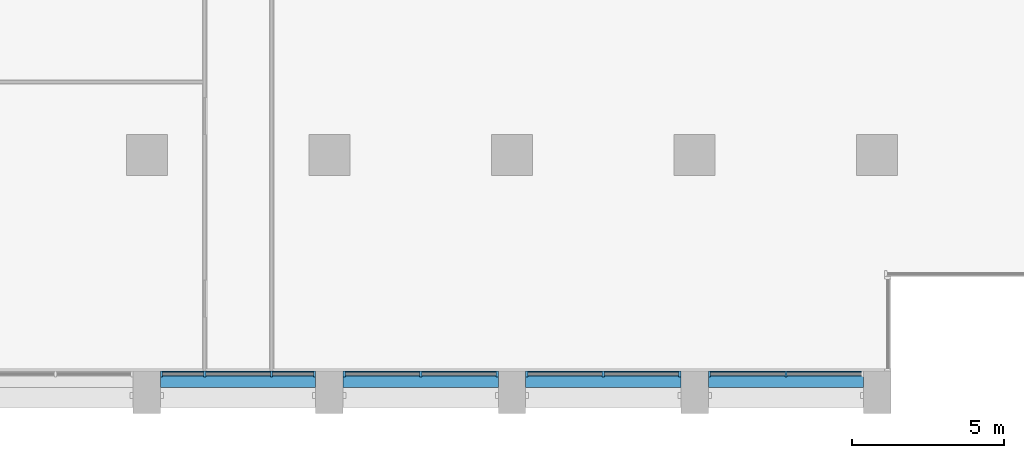
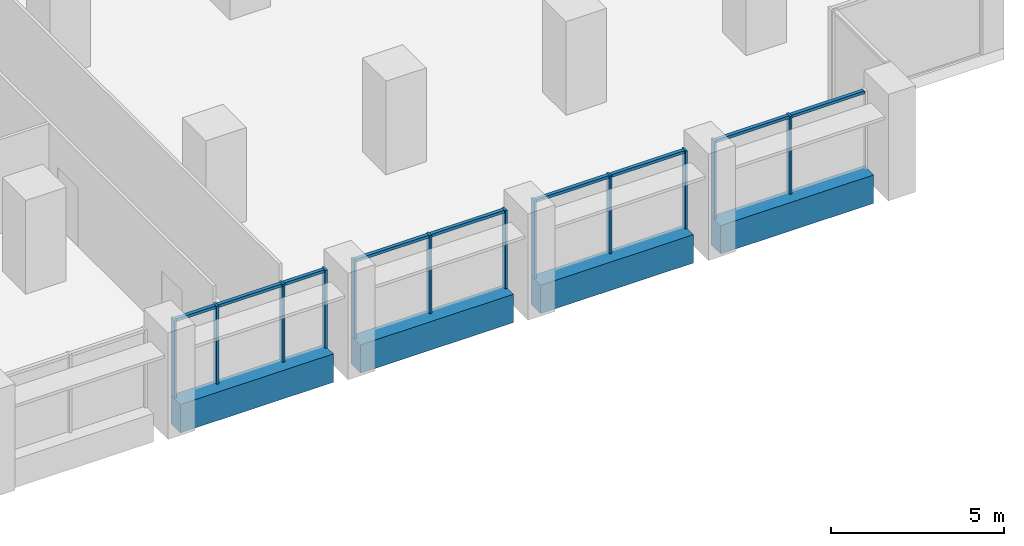
# One storey, part 3 of 15: 21 members, 4 beams, 4 elements without a shape of their own.
"""IFC4 building model written with IfcOpenShell, lengths in metres."""

import ifcopenshell
import ifcopenshell.guid

model = None  # the IFC model being written
_history = None  # IfcOwnerHistory: only IFC2X3 demands one
_inside = {}  # id of a spatial element -> (the spatial element, [elements in it])
_under = {}  # id of a project, library or spatial element -> (it, [spatial elements below it])
_declared = {}  # id of a project -> (the project, [libraries it declares])
_typed = {}  # id of a type object -> (the type object, [elements of that type])
_made_of = {}  # id of a material, layer set ... -> (it, [elements and type objects made of it])


def new_model(schema):
    """Start an empty IFC model of exactly this schema.

    Asked for "IFC4X3", IfcOpenShell would pick the latest addendum, in which some entities
    have other attributes; the version numbers below select the first issue.
    IFC2X3 requires an IfcOwnerHistory on every rooted entity: one is made here for all.
    """
    global model, _history
    if schema == "IFC4X3":
        model = ifcopenshell.file(schema_version=(4, 3, 0, 0))
    else:
        model = ifcopenshell.file(schema=schema)
    _inside.clear()
    _under.clear()
    _declared.clear()
    _typed.clear()
    _made_of.clear()
    _history = None
    if model.schema == "IFC2X3":
        org = make("IfcOrganization", Name="unknown")
        user = make(
            "IfcPersonAndOrganization",
            ThePerson=make("IfcPerson", FamilyName="unknown"),
            TheOrganization=org,
        )
        app = make(
            "IfcApplication",
            ApplicationDeveloper=org,
            Version="unknown",
            ApplicationFullName="unknown",
            ApplicationIdentifier="unknown",
        )
        _history = make(
            "IfcOwnerHistory",
            OwningUser=user,
            OwningApplication=app,
            ChangeAction="ADDED",
            CreationDate=0,
        )
    return model


def make(cls, **values):
    """One entity of the class cls with the attributes given. An attribute that is None is left unset."""
    return model.create_entity(
        cls, **{name: value for name, value in values.items() if value is not None}
    )


def rooted(cls, **values):
    """An entity with a GlobalId (a new one), such as an element, a storey or a relation."""
    return make(cls, GlobalId=ifcopenshell.guid.new(), OwnerHistory=_history, **values)


def si_unit(unit_type, name, prefix=None):
    """IfcSIUnit, for example si_unit("LENGTHUNIT", "METRE", prefix="MILLI")."""
    return make("IfcSIUnit", UnitType=unit_type, Prefix=prefix, Name=name)


def assignment(units):
    """IfcUnitAssignment: the units of a project."""
    return None if units is None else make("IfcUnitAssignment", Units=units)


def point(xyz):
    """IfcCartesianPoint."""
    return None if xyz is None else make("IfcCartesianPoint", Coordinates=xyz)


def direction(xyz):
    """IfcDirection."""
    return None if xyz is None else make("IfcDirection", DirectionRatios=xyz)


def frame(location, z_axis=None, x_axis=None):
    """IfcAxis2Placement3D, a coordinate frame: its origin and axes. An axis left out is left unset."""
    return make(
        "IfcAxis2Placement3D",
        Location=point(location),
        Axis=direction(z_axis),
        RefDirection=direction(x_axis),
    )


def frame_2d(location, x_axis=None):
    """IfcAxis2Placement2D, a coordinate frame in the plane: its origin and x axis."""
    return make(
        "IfcAxis2Placement2D", Location=point(location), RefDirection=direction(x_axis)
    )


def origin():
    """The frame at (0, 0, 0) with its axes left unset."""
    return frame((0.0, 0.0, 0.0))


def origin_2d():
    """The frame at (0, 0) in the plane with its x axis left unset."""
    return frame_2d((0.0, 0.0))


def place(relative_to, where):
    """IfcLocalPlacement: puts the frame where relative to a parent placement (None: the world)."""
    return make(
        "IfcLocalPlacement", PlacementRelTo=relative_to, RelativePlacement=where
    )


def context(
    kind, dimensions, precision=None, world=None, true_north=None, identifier=None
):
    """IfcGeometricRepresentationContext, for example the 3D "Model" context."""
    return make(
        "IfcGeometricRepresentationContext",
        ContextIdentifier=identifier,
        ContextType=kind,
        CoordinateSpaceDimension=dimensions,
        Precision=precision,
        WorldCoordinateSystem=world,
        TrueNorth=true_north,
    )


def subcontext(parent, identifier, kind, view, scale=None):
    """IfcGeometricRepresentationSubContext, for example "Body" below "Model"."""
    return make(
        "IfcGeometricRepresentationSubContext",
        ContextIdentifier=identifier,
        ContextType=kind,
        ParentContext=parent,
        TargetScale=scale,
        TargetView=view,
    )


def project(units=None, contexts=None):
    """IfcProject with its units and contexts."""
    return rooted(
        "IfcProject",
        Name="project",
        RepresentationContexts=contexts,
        UnitsInContext=assignment(units),
    )


def spatial(cls, under=None, at=None, **own):
    """A site, building, storey or space (cls), placed at a placement, below another one or the project."""
    s = rooted(cls, ObjectPlacement=at, **own)
    if under is not None:
        _under.setdefault(under.id(), (under, []))[1].append(s)
    return s


def profile(cls, at=None, kind="AREA", **sizes):
    """A parametric profile (cls). Its sizes go by their IFC names, for example OverallWidth=200.0."""
    return make(cls, ProfileType=kind, Position=at, **sizes)


def rectangle(**sizes):
    """IfcRectangleProfileDef."""
    return profile("IfcRectangleProfileDef", **sizes)


def extrude(swept, where, along, depth):
    """IfcExtrudedAreaSolid: the profile swept, set in the frame where, extruded along a direction by depth."""
    return make(
        "IfcExtrudedAreaSolid",
        SweptArea=swept,
        Position=where,
        ExtrudedDirection=direction(along),
        Depth=depth,
    )


def shape(context_of_items, identifier, shape_type, items):
    """IfcShapeRepresentation: the items that make up one representation, for example the "Body"."""
    return make(
        "IfcShapeRepresentation",
        ContextOfItems=context_of_items,
        RepresentationIdentifier=identifier,
        RepresentationType=shape_type,
        Items=items,
    )


def material(Name=None, Category=None):
    """IfcMaterial."""
    return make("IfcMaterial", Name=Name, Category=Category)


def material_profile(
    of_material, cross_section, Name=None, Category=None, Priority=None
):
    """IfcMaterialProfile: a cross section and its material."""
    return make(
        "IfcMaterialProfile",
        Name=Name,
        Material=of_material,
        Profile=cross_section,
        Priority=Priority,
        Category=Category,
    )


def profile_set(profiles, Name=None, composite=None):
    """IfcMaterialProfileSet."""
    return make(
        "IfcMaterialProfileSet",
        Name=Name,
        MaterialProfiles=profiles,
        CompositeProfile=composite,
    )


def made_of(thing, what):
    """Note that an element or type object is made of a material, layer set ...; save() writes the relation."""
    if what is not None:
        _made_of.setdefault(what.id(), (what, []))[1].append(thing)
    return thing


def type_object(cls, material=None, **own):
    """A type object (cls), such as IfcWallType, which elements share."""
    return made_of(rooted(cls, **own), material)


def element(
    cls,
    number,
    at=None,
    inside=None,
    cuts=None,
    type_object=None,
    material=None,
    context=None,
    identifier="Body",
    shape_type=None,
    held_by="IfcProductDefinitionShape",
    body=None,
    shapes=None,
    **own,
):
    """One element of the class cls, such as IfcWall. Its Tag is "e" and its number.

    at: its placement. inside: the storey or other place that contains it. cuts: it is an
    opening in that element (IfcRelVoidsElement). A single representation is given by context,
    identifier, shape_type and body (its items); several are given by shapes. held_by: the class
    of the entity that holds the representations. save() writes the other relations.
    """
    e = rooted(cls, Tag="e%d" % number, ObjectPlacement=at, **own)
    if body is not None:
        shapes = [shape(context, identifier, shape_type, body)]
    if shapes is not None:
        e.Representation = make(held_by, Representations=shapes)
    if inside is not None:
        _inside.setdefault(inside.id(), (inside, []))[1].append(e)
    if cuts is not None:
        rooted(
            "IfcRelVoidsElement", RelatingBuildingElement=cuts, RelatedOpeningElement=e
        )
    if type_object is not None:
        _typed.setdefault(type_object.id(), (type_object, []))[1].append(e)
    return made_of(e, material)


def aggregate(whole, parts):
    """IfcRelAggregates: a whole, such as a stair, and the parts it consists of."""
    return rooted("IfcRelAggregates", RelatingObject=whole, RelatedObjects=parts)


def save(model, path):
    """Write the relations noted so far, then the file.

    IfcRelAggregates (storeys below a building ...), IfcRelContainedInSpatialStructure (elements
    in a storey), IfcRelDefinesByType, IfcRelAssociatesMaterial and IfcRelDeclares: one each for
    every whole, place, type object, material and project.
    """
    for whole, parts in _under.values():
        aggregate(whole, parts)
    for where, things in _inside.values():
        rooted(
            "IfcRelContainedInSpatialStructure",
            RelatedElements=things,
            RelatingStructure=where,
        )
    for kind, things in _typed.values():
        rooted("IfcRelDefinesByType", RelatedObjects=things, RelatingType=kind)
    for what, things in _made_of.values():
        rooted("IfcRelAssociatesMaterial", RelatedObjects=things, RelatingMaterial=what)
    for by, libraries in _declared.values():
        rooted("IfcRelDeclares", RelatingContext=by, RelatedDefinitions=libraries)
    model.write(path)


model = new_model("IFC4")

# Units and contexts
model_context = context("Model", 3, precision=1e-05, world=origin(), true_north=direction((0.0, 1.0)))
body_context = subcontext(model_context, "Body", "Model", "MODEL_VIEW")
ifc_project = project(units=[si_unit("LENGTHUNIT", "METRE"), si_unit("AREAUNIT", "SQUARE_METRE"), si_unit("VOLUMEUNIT", "CUBIC_METRE"), si_unit("PLANEANGLEUNIT", "RADIAN"), si_unit("MASSUNIT", "GRAM", prefix="KILO")], contexts=[model_context])

# Site, building, storey
site_placement = place(None, origin())
site = spatial("IfcSite", under=ifc_project, at=site_placement, CompositionType="ELEMENT")
building_placement = place(site_placement, origin())
building = spatial("IfcBuilding", under=site, at=building_placement, Name="Calvaro Tower", CompositionType="ELEMENT")
storey_placement = place(building_placement, frame((0.0, 0.0, 121.25)))
storey = spatial("IfcBuildingStorey", under=building, at=storey_placement, Name="L30", CompositionType="ELEMENT", Elevation=121.25)

# Curtain wall, members
ifc_material_1 = material(Name="Anodised aluminium", Category="aluminium")
curtain_wall_type = type_object("IfcCurtainWallType", Name="Office curtain wall, middle zone", PredefinedType="NOTDEFINED", material=ifc_material_1)
curtain_wall_1_placement = place(storey_placement, origin())
curtain_wall_1 = element("IfcCurtainWall", 1, at=curtain_wall_1_placement, inside=storey, type_object=curtain_wall_type, Name="CW2 south curtain wall", PredefinedType="NOTDEFINED")
ifc_material_2 = material(Name="Anodised aluminium", Category="aluminium")
ifc_material_profile_1 = material_profile(ifc_material_2, rectangle(XDim=0.199951171875, YDim=0.070068359375, at=origin_2d()), Name="Mullion S2 70 x 200")
ifc_profile_set_1 = profile_set([ifc_material_profile_1], Name="Anodised aluminium")
member_type_1 = type_object("IfcMemberType", Name="Mullion S2 70 x 200", PredefinedType="MULLION", material=ifc_profile_set_1)
member_1_placement = place(storey_placement, frame((42.485107421875, 2.800048828125, 0.0), z_axis=(0.0, 0.0, 1.0), x_axis=(0.0, 1.0, 0.0)))
member_1 = element("IfcMember", 2, at=member_1_placement, type_object=member_type_1, Name="CW2 mullion 1", PredefinedType="MULLION", context=body_context, shape_type="SweptSolid", body=[
    extrude(rectangle(XDim=0.199951171875, YDim=0.070068359375, at=origin_2d()), origin(), (0.0, 0.0, 1.0), 2.75),
])
member_2_placement = place(storey_placement, frame((43.89990234375, 2.800048828125, 0.0), z_axis=(0.0, 0.0, 1.0), x_axis=(0.0, 1.0, 0.0)))
member_2 = element("IfcMember", 3, at=member_2_placement, type_object=member_type_1, Name="CW2 mullion 2", PredefinedType="MULLION", context=body_context, shape_type="SweptSolid", body=[
    extrude(rectangle(XDim=0.199951171875, YDim=0.070068359375, at=origin_2d()), origin(), (0.0, 0.0, 1.0), 2.75),
])
member_3_placement = place(storey_placement, frame((46.10009765625, 2.800048828125, 0.0), z_axis=(0.0, 0.0, 1.0), x_axis=(0.0, 1.0, 0.0)))
member_3 = element("IfcMember", 4, at=member_3_placement, type_object=member_type_1, Name="CW2 mullion 3", PredefinedType="MULLION", context=body_context, shape_type="SweptSolid", body=[
    extrude(rectangle(XDim=0.199951171875, YDim=0.070068359375, at=origin_2d()), origin(), (0.0, 0.0, 1.0), 2.75),
])
member_4_placement = place(storey_placement, frame((47.514892578125, 2.800048828125, 0.0), z_axis=(0.0, 0.0, 1.0), x_axis=(0.0, 1.0, 0.0)))
member_4 = element("IfcMember", 5, at=member_4_placement, type_object=member_type_1, Name="CW2 mullion 4", PredefinedType="MULLION", context=body_context, shape_type="SweptSolid", body=[
    extrude(rectangle(XDim=0.199951171875, YDim=0.070068359375, at=origin_2d()), origin(), (0.0, 0.0, 1.0), 2.75),
])

curtain_wall_2_placement = place(storey_placement, origin())
curtain_wall_2 = element("IfcCurtainWall", 6, at=curtain_wall_2_placement, inside=storey, type_object=curtain_wall_type, Name="CW2 south curtain wall", PredefinedType="NOTDEFINED")
member_5_placement = place(storey_placement, frame((48.485107421875, 2.800048828125, 0.0), z_axis=(0.0, 0.0, 1.0), x_axis=(0.0, 1.0, 0.0)))
member_5 = element("IfcMember", 7, at=member_5_placement, type_object=member_type_1, Name="CW2 mullion 1", PredefinedType="MULLION", context=body_context, shape_type="SweptSolid", body=[
    extrude(rectangle(XDim=0.199951171875, YDim=0.070068359375, at=origin_2d()), origin(), (0.0, 0.0, 1.0), 2.75),
])
member_6_placement = place(storey_placement, frame((51.0, 2.800048828125, 0.0), z_axis=(0.0, 0.0, 1.0), x_axis=(0.0, 1.0, 0.0)))
member_6 = element("IfcMember", 8, at=member_6_placement, type_object=member_type_1, Name="CW2 mullion 2", PredefinedType="MULLION", context=body_context, shape_type="SweptSolid", body=[
    extrude(rectangle(XDim=0.199951171875, YDim=0.070068359375, at=origin_2d()), origin(), (0.0, 0.0, 1.0), 2.75),
])
member_7_placement = place(storey_placement, frame((53.514892578125, 2.800048828125, 0.0), z_axis=(0.0, 0.0, 1.0), x_axis=(0.0, 1.0, 0.0)))
member_7 = element("IfcMember", 9, at=member_7_placement, type_object=member_type_1, Name="CW2 mullion 3", PredefinedType="MULLION", context=body_context, shape_type="SweptSolid", body=[
    extrude(rectangle(XDim=0.199951171875, YDim=0.070068359375, at=origin_2d()), origin(), (0.0, 0.0, 1.0), 2.75),
])

curtain_wall_3_placement = place(storey_placement, origin())
curtain_wall_3 = element("IfcCurtainWall", 10, at=curtain_wall_3_placement, inside=storey, type_object=curtain_wall_type, Name="CW2 south curtain wall", PredefinedType="NOTDEFINED")
member_8_placement = place(storey_placement, frame((54.485107421875, 2.800048828125, 0.0), z_axis=(0.0, 0.0, 1.0), x_axis=(0.0, 1.0, 0.0)))
member_8 = element("IfcMember", 11, at=member_8_placement, type_object=member_type_1, Name="CW2 mullion 1", PredefinedType="MULLION", context=body_context, shape_type="SweptSolid", body=[
    extrude(rectangle(XDim=0.199951171875, YDim=0.070068359375, at=origin_2d()), origin(), (0.0, 0.0, 1.0), 2.75),
])
member_9_placement = place(storey_placement, frame((57.0, 2.800048828125, 0.0), z_axis=(0.0, 0.0, 1.0), x_axis=(0.0, 1.0, 0.0)))
member_9 = element("IfcMember", 12, at=member_9_placement, type_object=member_type_1, Name="CW2 mullion 2", PredefinedType="MULLION", context=body_context, shape_type="SweptSolid", body=[
    extrude(rectangle(XDim=0.199951171875, YDim=0.070068359375, at=origin_2d()), origin(), (0.0, 0.0, 1.0), 2.75),
])
member_10_placement = place(storey_placement, frame((59.514892578125, 2.800048828125, 0.0), z_axis=(0.0, 0.0, 1.0), x_axis=(0.0, 1.0, 0.0)))
member_10 = element("IfcMember", 13, at=member_10_placement, type_object=member_type_1, Name="CW2 mullion 3", PredefinedType="MULLION", context=body_context, shape_type="SweptSolid", body=[
    extrude(rectangle(XDim=0.199951171875, YDim=0.070068359375, at=origin_2d()), origin(), (0.0, 0.0, 1.0), 2.75),
])

curtain_wall_4_placement = place(storey_placement, origin())
curtain_wall_4 = element("IfcCurtainWall", 14, at=curtain_wall_4_placement, inside=storey, type_object=curtain_wall_type, Name="CW2 south curtain wall", PredefinedType="NOTDEFINED")
member_11_placement = place(storey_placement, frame((60.485107421875, 2.800048828125, 0.0), z_axis=(0.0, 0.0, 1.0), x_axis=(0.0, 1.0, 0.0)))
member_11 = element("IfcMember", 15, at=member_11_placement, type_object=member_type_1, Name="CW2 mullion 1", PredefinedType="MULLION", context=body_context, shape_type="SweptSolid", body=[
    extrude(rectangle(XDim=0.199951171875, YDim=0.070068359375, at=origin_2d()), origin(), (0.0, 0.0, 1.0), 2.75),
])
member_12_placement = place(storey_placement, frame((63.0, 2.800048828125, 0.0), z_axis=(0.0, 0.0, 1.0), x_axis=(0.0, 1.0, 0.0)))
member_12 = element("IfcMember", 16, at=member_12_placement, type_object=member_type_1, Name="CW2 mullion 2", PredefinedType="MULLION", context=body_context, shape_type="SweptSolid", body=[
    extrude(rectangle(XDim=0.199951171875, YDim=0.070068359375, at=origin_2d()), origin(), (0.0, 0.0, 1.0), 2.75),
])

# Beams
ifc_material_3 = material(Name="Concrete C50/60 precast", Category="concrete")
ifc_material_profile_2 = material_profile(ifc_material_3, rectangle(XDim=0.550048828125, YDim=1.0, at=origin_2d()), Name="RC 550x1000")
ifc_profile_set_2 = profile_set([ifc_material_profile_2], Name="Concrete C50/60 precast")
beam_type = type_object("IfcBeamType", Name="Spandrel beam 550x1000 C50/60", PredefinedType="SPANDREL", material=ifc_profile_set_2)
for number, where, z_axis, x_axis, name in (
    (17, (42.449951171875, 2.625, -0.5), (1.0, 0.0, 0.0), (0.0, 1.0, 0.0), "Spandrel beam"),
    (18, (48.449951171875, 2.625, -0.5), (1.0, 0.0, 0.0), (0.0, 1.0, 0.0), "Spandrel beam"),
    (19, (54.449951171875, 2.625, -0.5), (1.0, 0.0, 0.0), (0.0, 1.0, 0.0), "Spandrel beam"),
    (20, (60.449951171875, 2.625, -0.5), (1.0, 0.0, 0.0), (0.0, 1.0, 0.0), "Spandrel beam"),
):
    element("IfcBeam", number, at=place(storey_placement, frame(where, z_axis=z_axis, x_axis=x_axis)), inside=storey, type_object=beam_type, Name=name, PredefinedType="SPANDREL", context=body_context, shape_type="SweptSolid", body=[
        extrude(rectangle(XDim=0.550048828125, YDim=1.0, at=origin_2d()), origin(), (0.0, 0.0, 1.0), 5.10009765625),
    ])

# Member
ifc_material_4 = material(Name="Anodised aluminium", Category="aluminium")
ifc_material_profile_3 = material_profile(ifc_material_4, rectangle(XDim=0.1201171875, YDim=0.10009765625, at=origin_2d()), Name="Transom S2 100 x 120")
ifc_profile_set_3 = profile_set([ifc_material_profile_3], Name="Anodised aluminium")
member_type_2 = type_object("IfcMemberType", Name="Transom S2 100 x 120", PredefinedType="USERDEFINED", material=ifc_profile_set_3)
member_13_placement = place(storey_placement, frame((42.52001953125, 2.800048828125, 2.699951171875), z_axis=(1.0, 0.0, 0.0), x_axis=(0.0, 1.0, 0.0)))
member_13 = element("IfcMember", 21, at=member_13_placement, type_object=member_type_2, Name="CW2 transom 1.1", ObjectType="TRANSOM", PredefinedType="USERDEFINED", context=body_context, shape_type="SweptSolid", body=[
    extrude(rectangle(XDim=0.1201171875, YDim=0.10009765625, at=origin_2d()), origin(), (0.0, 0.0, 1.0), 1.344970703125),
])

member_14_placement = place(storey_placement, frame((43.93505859375, 2.800048828125, 2.699951171875), z_axis=(1.0, 0.0, 0.0), x_axis=(0.0, 1.0, 0.0)))
member_14 = element("IfcMember", 22, at=member_14_placement, type_object=member_type_2, Name="CW2 transom 2.1", ObjectType="TRANSOM", PredefinedType="USERDEFINED", context=body_context, shape_type="SweptSolid", body=[
    extrude(rectangle(XDim=0.1201171875, YDim=0.10009765625, at=origin_2d()), origin(), (0.0, 0.0, 1.0), 2.1298828125),
])

member_15_placement = place(storey_placement, frame((46.135009765625, 2.800048828125, 2.699951171875), z_axis=(1.0, 0.0, 0.0), x_axis=(0.0, 1.0, 0.0)))
member_15 = element("IfcMember", 23, at=member_15_placement, type_object=member_type_2, Name="CW2 transom 3.1", ObjectType="TRANSOM", PredefinedType="USERDEFINED", context=body_context, shape_type="SweptSolid", body=[
    extrude(rectangle(XDim=0.1201171875, YDim=0.10009765625, at=origin_2d()), origin(), (0.0, 0.0, 1.0), 1.344970703125),
])

aggregate(curtain_wall_1, [member_1, member_2, member_3, member_4, member_13, member_14, member_15])

member_16_placement = place(storey_placement, frame((48.52001953125, 2.800048828125, 2.699951171875), z_axis=(1.0, 0.0, 0.0), x_axis=(0.0, 1.0, 0.0)))
member_16 = element("IfcMember", 24, at=member_16_placement, type_object=member_type_2, Name="CW2 transom 1.1", ObjectType="TRANSOM", PredefinedType="USERDEFINED", context=body_context, shape_type="SweptSolid", body=[
    extrude(rectangle(XDim=0.1201171875, YDim=0.10009765625, at=origin_2d()), origin(), (0.0, 0.0, 1.0), 2.445068359375),
])

member_17_placement = place(storey_placement, frame((51.034912109375, 2.800048828125, 2.699951171875), z_axis=(1.0, 0.0, 0.0), x_axis=(0.0, 1.0, 0.0)))
member_17 = element("IfcMember", 25, at=member_17_placement, type_object=member_type_2, Name="CW2 transom 2.1", ObjectType="TRANSOM", PredefinedType="USERDEFINED", context=body_context, shape_type="SweptSolid", body=[
    extrude(rectangle(XDim=0.1201171875, YDim=0.10009765625, at=origin_2d()), origin(), (0.0, 0.0, 1.0), 2.445068359375),
])

aggregate(curtain_wall_2, [member_5, member_6, member_7, member_16, member_17])

member_18_placement = place(storey_placement, frame((54.52001953125, 2.800048828125, 2.699951171875), z_axis=(1.0, 0.0, 0.0), x_axis=(0.0, 1.0, 0.0)))
member_18 = element("IfcMember", 26, at=member_18_placement, type_object=member_type_2, Name="CW2 transom 1.1", ObjectType="TRANSOM", PredefinedType="USERDEFINED", context=body_context, shape_type="SweptSolid", body=[
    extrude(rectangle(XDim=0.1201171875, YDim=0.10009765625, at=origin_2d()), origin(), (0.0, 0.0, 1.0), 2.445068359375),
])

member_19_placement = place(storey_placement, frame((57.034912109375, 2.800048828125, 2.699951171875), z_axis=(1.0, 0.0, 0.0), x_axis=(0.0, 1.0, 0.0)))
member_19 = element("IfcMember", 27, at=member_19_placement, type_object=member_type_2, Name="CW2 transom 2.1", ObjectType="TRANSOM", PredefinedType="USERDEFINED", context=body_context, shape_type="SweptSolid", body=[
    extrude(rectangle(XDim=0.1201171875, YDim=0.10009765625, at=origin_2d()), origin(), (0.0, 0.0, 1.0), 2.445068359375),
])

aggregate(curtain_wall_3, [member_8, member_9, member_10, member_18, member_19])

member_20_placement = place(storey_placement, frame((60.52001953125, 2.800048828125, 2.699951171875), z_axis=(1.0, 0.0, 0.0), x_axis=(0.0, 1.0, 0.0)))
member_20 = element("IfcMember", 28, at=member_20_placement, type_object=member_type_2, Name="CW2 transom 1.1", ObjectType="TRANSOM", PredefinedType="USERDEFINED", context=body_context, shape_type="SweptSolid", body=[
    extrude(rectangle(XDim=0.1201171875, YDim=0.10009765625, at=origin_2d()), origin(), (0.0, 0.0, 1.0), 2.445068359375),
])

member_21_placement = place(storey_placement, frame((63.034912109375, 2.800048828125, 2.699951171875), z_axis=(1.0, 0.0, 0.0), x_axis=(0.0, 1.0, 0.0)))
member_21 = element("IfcMember", 29, at=member_21_placement, type_object=member_type_2, Name="CW2 transom 2.1", ObjectType="TRANSOM", PredefinedType="USERDEFINED", context=body_context, shape_type="SweptSolid", body=[
    extrude(rectangle(XDim=0.1201171875, YDim=0.10009765625, at=origin_2d()), origin(), (0.0, 0.0, 1.0), 2.445068359375),
])

aggregate(curtain_wall_4, [member_11, member_12, member_20, member_21])

save(model, "model.ifc")
